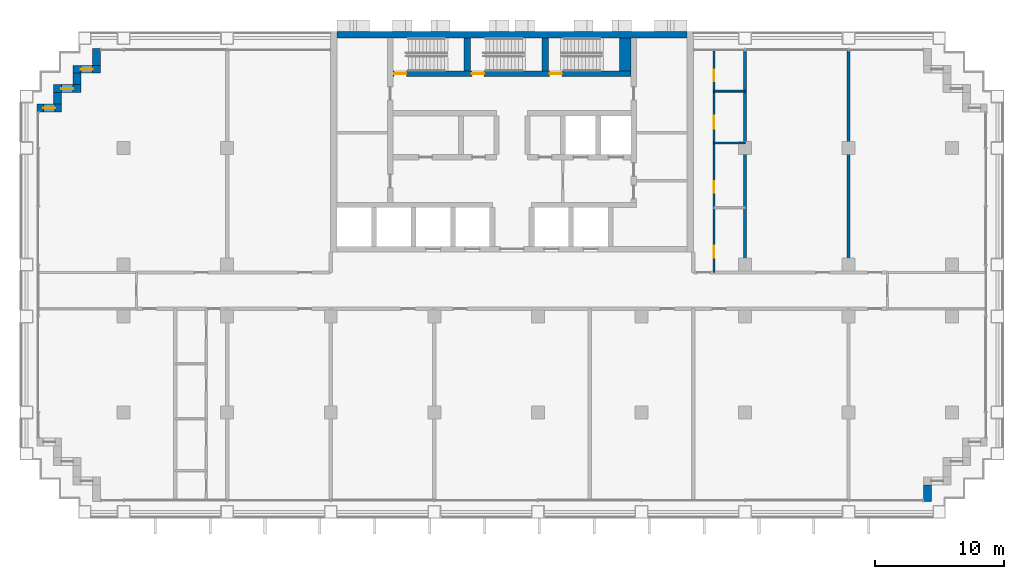
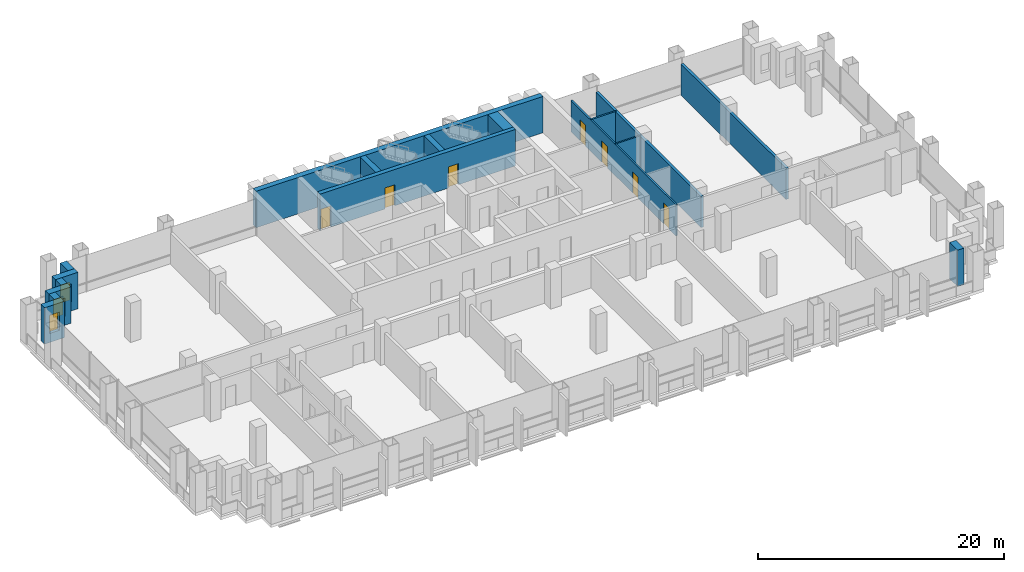
# One storey, part 9 of 13: 17 walls, 7 doors, 3 windows, 10 openings.
"""IFC4 building model written with IfcOpenShell, lengths in metres."""

from ifc_helpers import new_model, si_unit, direction, frame, frame_2d, origin, place, context, subcontext, project, spatial, rectangle, extrude, material, layer, layer_set, type_object, element, fill, save


model = new_model("IFC4")

# Units and contexts
model_context = context("Model", 3, precision=1e-05, world=origin(), true_north=direction((0.0, 1.0)))
body_context = subcontext(model_context, "Body", "Model", "MODEL_VIEW")
ifc_project = project(units=[si_unit("LENGTHUNIT", "METRE"), si_unit("AREAUNIT", "SQUARE_METRE"), si_unit("VOLUMEUNIT", "CUBIC_METRE"), si_unit("PLANEANGLEUNIT", "RADIAN"), si_unit("MASSUNIT", "GRAM", prefix="KILO")], contexts=[model_context])

# Site, building, storey
site_placement = place(None, origin())
site = spatial("IfcSite", under=ifc_project, at=site_placement, CompositionType="ELEMENT")
building_placement = place(site_placement, origin())
building = spatial("IfcBuilding", under=site, at=building_placement, Name="Vidyagriha Tower", CompositionType="ELEMENT")
storey_placement = place(building_placement, frame((0.0, 0.0, 37.699951171875)))
storey = spatial("IfcBuildingStorey", under=building, at=storey_placement, Name="L09", CompositionType="ELEMENT", Elevation=37.699951171875)

# Wall
ifc_material_1 = material(Name="Precast concrete C40/50 with brick facing", Category="concrete")
ifc_layer_1 = layer(ifc_material_1, 0.60009765625)
ifc_layer_set_1 = layer_set([ifc_layer_1], Name="Precast concrete C40/50 with brick facing")
wall_type_1 = type_object("IfcWallType", Name="Brick-faced precast wall 600", PredefinedType="STANDARD", material=ifc_layer_set_1)
wall_1_placement = place(storey_placement, frame((-32.10009765625, 18.679931640625, 0.0), z_axis=(0.0, 0.0, 1.0), x_axis=(0.0, -1.0, 0.0)))
element("IfcWall", 1, at=wall_1_placement, inside=storey, type_object=wall_type_1, Name="Stepped corner wall L09 R10", PredefinedType="STANDARD", context=body_context, shape_type="SweptSolid", body=[
    extrude(rectangle(XDim=1.280029296875, YDim=0.60009765625, at=frame_2d((0.64013671875, 0.0))), origin(), (0.0, 0.0, 1.0), 3.6201171875),
])

# Wall, opening, window
wall_2_placement = place(storey_placement, frame((-31.800048828125, 17.10009765625, 0.0), z_axis=(0.0, 0.0, 1.0), x_axis=(-1.0, 0.0, 0.0)))
wall_2 = element("IfcWall", 2, at=wall_2_placement, inside=storey, type_object=wall_type_1, Name="Stepped corner wall L09 R11", PredefinedType="STANDARD", context=body_context, shape_type="SweptSolid", body=[
    extrude(rectangle(XDim=2.099853515625, YDim=0.60009765625, at=frame_2d((1.0498046875, 0.0))), origin(), (0.0, 0.0, 1.0), 3.6201171875),
])
opening_1_placement = place(wall_2_placement, frame((0.60009765625, 0.0, 0.89990234375)))
opening_1 = element("IfcOpeningElement", 3, at=opening_1_placement, cuts=wall_2, Name="Opening WN2", PredefinedType="OPENING", context=body_context, shape_type="SweptSolid", body=[
    extrude(rectangle(XDim=0.89990234375, YDim=1.800048828125, at=frame_2d((0.449951171875, 0.89990234375))), frame((0.0, 0.31005859375, 0.0), z_axis=(0.0, -1.0, 0.0), x_axis=(1.0, 0.0, 0.0)), (0.0, 0.0, 1.0), 0.6201171875),
])
ifc_material_2 = material(Name="Aluminium and glass window", Category="aluminium")
window_type = type_object("IfcWindowType", Name="Reveal window 900x1800", PartitioningType="NOTDEFINED", PredefinedType="WINDOW", material=ifc_material_2)
window_1_placement = place(opening_1_placement, origin())
window_1 = element("IfcWindow", 4, at=window_1_placement, inside=storey, type_object=window_type, Name="Reveal window L09 R11", OverallHeight=1.800048828125, OverallWidth=0.89990234375, PartitioningType="SINGLE_PANEL", PredefinedType="WINDOW", context=body_context, shape_type="SweptSolid", body=[
    extrude(rectangle(XDim=0.89990234375, YDim=1.800048828125, at=frame_2d((0.449951171875, 0.89990234375))), frame((0.0, 0.030029296875, 0.0), z_axis=(0.0, -1.0, 0.0), x_axis=(1.0, 0.0, 0.0)), (0.0, 0.0, 1.0), 0.06005859375),
])
fill(opening_1, window_1)

# Wall
wall_3_placement = place(storey_placement, frame((-33.60009765625, 16.800048828125, 0.0), z_axis=(0.0, 0.0, 1.0), x_axis=(0.0, -1.0, 0.0)))
element("IfcWall", 5, at=wall_3_placement, inside=storey, type_object=wall_type_1, Name="Stepped corner wall L09 R12", PredefinedType="STANDARD", context=body_context, shape_type="SweptSolid", body=[
    extrude(rectangle(XDim=0.900146484375, YDim=0.60009765625, at=frame_2d((0.4501953125, 0.0))), origin(), (0.0, 0.0, 1.0), 3.6201171875),
])

# Wall, opening, window
wall_4_placement = place(storey_placement, frame((-33.300048828125, 15.60009765625, 0.0), z_axis=(0.0, 0.0, 1.0), x_axis=(-1.0, 0.0, 0.0)))
wall_4 = element("IfcWall", 6, at=wall_4_placement, inside=storey, type_object=wall_type_1, Name="Stepped corner wall L09 R13", PredefinedType="STANDARD", context=body_context, shape_type="SweptSolid", body=[
    extrude(rectangle(XDim=2.099853515625, YDim=0.60009765625, at=frame_2d((1.0498046875, 0.0))), origin(), (0.0, 0.0, 1.0), 3.6201171875),
])
opening_2_placement = place(wall_4_placement, frame((0.60009765625, 0.0, 0.89990234375)))
opening_2 = element("IfcOpeningElement", 7, at=opening_2_placement, cuts=wall_4, Name="Opening WN2", PredefinedType="OPENING", context=body_context, shape_type="SweptSolid", body=[
    extrude(rectangle(XDim=0.89990234375, YDim=1.800048828125, at=frame_2d((0.449951171875, 0.89990234375))), frame((0.0, 0.31005859375, 0.0), z_axis=(0.0, -1.0, 0.0), x_axis=(1.0, 0.0, 0.0)), (0.0, 0.0, 1.0), 0.6201171875),
])
window_2_placement = place(opening_2_placement, origin())
window_2 = element("IfcWindow", 8, at=window_2_placement, inside=storey, type_object=window_type, Name="Reveal window L09 R13", OverallHeight=1.800048828125, OverallWidth=0.89990234375, PartitioningType="SINGLE_PANEL", PredefinedType="WINDOW", context=body_context, shape_type="SweptSolid", body=[
    extrude(rectangle(XDim=0.89990234375, YDim=1.800048828125, at=frame_2d((0.449951171875, 0.89990234375))), frame((0.0, 0.030029296875, 0.0), z_axis=(0.0, -1.0, 0.0), x_axis=(1.0, 0.0, 0.0)), (0.0, 0.0, 1.0), 0.06005859375),
])
fill(opening_2, window_2)

# Wall
wall_5_placement = place(storey_placement, frame((-35.10009765625, 15.300048828125, 0.0), z_axis=(0.0, 0.0, 1.0), x_axis=(0.0, -1.0, 0.0)))
element("IfcWall", 9, at=wall_5_placement, inside=storey, type_object=wall_type_1, Name="Stepped corner wall L09 R14", PredefinedType="STANDARD", context=body_context, shape_type="SweptSolid", body=[
    extrude(rectangle(XDim=0.900146484375, YDim=0.60009765625, at=frame_2d((0.4501953125, 0.0))), origin(), (0.0, 0.0, 1.0), 3.6201171875),
])

# Wall, opening, window
wall_6_placement = place(storey_placement, frame((-34.800048828125, 14.10009765625, 0.0), z_axis=(0.0, 0.0, 1.0), x_axis=(-1.0, 0.0, 0.0)))
wall_6 = element("IfcWall", 10, at=wall_6_placement, inside=storey, type_object=wall_type_1, Name="Stepped corner wall L09 R15", PredefinedType="STANDARD", context=body_context, shape_type="SweptSolid", body=[
    extrude(rectangle(XDim=1.8798828125, YDim=0.60009765625, at=frame_2d((0.93994140625, 0.0))), origin(), (0.0, 0.0, 1.0), 3.6201171875),
])
opening_3_placement = place(wall_6_placement, frame((0.489990234375, 0.0, 0.89990234375)))
opening_3 = element("IfcOpeningElement", 11, at=opening_3_placement, cuts=wall_6, Name="Opening WN2", PredefinedType="OPENING", context=body_context, shape_type="SweptSolid", body=[
    extrude(rectangle(XDim=0.89990234375, YDim=1.800048828125, at=frame_2d((0.449951171875, 0.89990234375))), frame((0.0, 0.31005859375, 0.0), z_axis=(0.0, -1.0, 0.0), x_axis=(1.0, 0.0, 0.0)), (0.0, 0.0, 1.0), 0.6201171875),
])
window_3_placement = place(opening_3_placement, origin())
window_3 = element("IfcWindow", 12, at=window_3_placement, inside=storey, type_object=window_type, Name="Reveal window L09 R15", OverallHeight=1.800048828125, OverallWidth=0.89990234375, PartitioningType="SINGLE_PANEL", PredefinedType="WINDOW", context=body_context, shape_type="SweptSolid", body=[
    extrude(rectangle(XDim=0.89990234375, YDim=1.800048828125, at=frame_2d((0.449951171875, 0.89990234375))), frame((0.0, 0.030029296875, 0.0), z_axis=(0.0, -1.0, 0.0), x_axis=(1.0, 0.0, 0.0)), (0.0, 0.0, 1.0), 0.06005859375),
])
fill(opening_3, window_3)

# Wall
wall_7_placement = place(storey_placement, frame((32.10009765625, -16.280029296875, 0.0), z_axis=(0.0, 0.0, 1.0), x_axis=(0.0, 1.0, 0.0)))
element("IfcWall", 13, at=wall_7_placement, inside=storey, type_object=wall_type_1, Name="Stepped corner wall L09 R24", PredefinedType="STANDARD", context=body_context, shape_type="SweptSolid", body=[
    extrude(rectangle(XDim=1.280029296875, YDim=0.60009765625, at=frame_2d((0.64013671875, 0.0))), origin(), (0.0, 0.0, 1.0), 3.6201171875),
])

# Wall, openings, doors
ifc_material_3 = material(Name="Concrete C60/75", Category="concrete")
ifc_layer_2 = layer(ifc_material_3, 0.39990234375)
ifc_layer_set_2 = layer_set([ifc_layer_2], Name="Concrete C60/75")
wall_type_2 = type_object("IfcWallType", Name="Core shear wall 400 mm", PredefinedType="SHEAR", material=ifc_layer_set_2)
wall_8_placement = place(storey_placement, frame((-9.199951171875, 16.75, 0.0)))
wall_8 = element("IfcWall", 14, at=wall_8_placement, inside=storey, type_object=wall_type_2, Name="Stair front wall", PredefinedType="SHEAR", context=body_context, shape_type="SweptSolid", body=[
    extrude(rectangle(XDim=18.39990234375, YDim=0.39990234375, at=frame_2d((9.199951171875, 0.0))), origin(), (0.0, 0.0, 1.0), 3.6201171875),
])
opening_4_placement = place(wall_8_placement, frame((0.10009765625, 0.0, 0.0)))
opening_4 = element("IfcOpeningElement", 15, at=opening_4_placement, cuts=wall_8, Name="Opening D09-06", PredefinedType="OPENING", context=body_context, shape_type="SweptSolid", body=[
    extrude(rectangle(XDim=0.949951171875, YDim=2.10009765625, at=frame_2d((0.47509765625, 1.050048828125))), frame((0.0, 0.2099609375, 0.0), z_axis=(0.0, -1.0, 0.0), x_axis=(1.0, 0.0, 0.0)), (0.0, 0.0, 1.0), 0.419921875),
])
opening_5_placement = place(wall_8_placement, frame((6.10009765625, 0.0, 0.0)))
opening_5 = element("IfcOpeningElement", 16, at=opening_5_placement, cuts=wall_8, Name="Opening D09-07", PredefinedType="OPENING", context=body_context, shape_type="SweptSolid", body=[
    extrude(rectangle(XDim=0.949951171875, YDim=2.10009765625, at=frame_2d((0.47509765625, 1.050048828125))), frame((0.0, 0.2099609375, 0.0), z_axis=(0.0, -1.0, 0.0), x_axis=(1.0, 0.0, 0.0)), (0.0, 0.0, 1.0), 0.419921875),
])
opening_6_placement = place(wall_8_placement, frame((12.10009765625, 0.0, 0.0)))
opening_6 = element("IfcOpeningElement", 17, at=opening_6_placement, cuts=wall_8, Name="Opening D09-08", PredefinedType="OPENING", context=body_context, shape_type="SweptSolid", body=[
    extrude(rectangle(XDim=0.949951171875, YDim=2.10009765625, at=frame_2d((0.47509765625, 1.050048828125))), frame((0.0, 0.2099609375, 0.0), z_axis=(0.0, -1.0, 0.0), x_axis=(1.0, 0.0, 0.0)), (0.0, 0.0, 1.0), 0.419921875),
])
ifc_material_4 = material(Name="Hollow metal door leaf")
door_type_1 = type_object("IfcDoorType", Name="Exit stair door 950 x 2100 mm EI 90", OperationType="NOTDEFINED", PredefinedType="DOOR", material=ifc_material_4)
door_1_placement = place(opening_4_placement, origin())
door_1 = element("IfcDoor", 18, at=door_1_placement, inside=storey, type_object=door_type_1, Name="Stair door ST1 L09", OperationType="SINGLE_SWING_LEFT", OverallHeight=2.10009765625, OverallWidth=0.949951171875, PredefinedType="DOOR", context=body_context, shape_type="SweptSolid", body=[
    extrude(rectangle(XDim=0.949951171875, YDim=2.10009765625, at=frame_2d((0.47509765625, 1.050048828125))), frame((0.0, 0.02490234375, 0.0), z_axis=(0.0, -1.0, 0.0), x_axis=(1.0, 0.0, 0.0)), (0.0, 0.0, 1.0), 0.050048828125),
])
fill(opening_4, door_1)
door_2_placement = place(opening_5_placement, origin())
door_2 = element("IfcDoor", 19, at=door_2_placement, inside=storey, type_object=door_type_1, Name="Stair door ST2 L09", OperationType="SINGLE_SWING_LEFT", OverallHeight=2.10009765625, OverallWidth=0.949951171875, PredefinedType="DOOR", context=body_context, shape_type="SweptSolid", body=[
    extrude(rectangle(XDim=0.949951171875, YDim=2.10009765625, at=frame_2d((0.47509765625, 1.050048828125))), frame((0.0, 0.02490234375, 0.0), z_axis=(0.0, -1.0, 0.0), x_axis=(1.0, 0.0, 0.0)), (0.0, 0.0, 1.0), 0.050048828125),
])
fill(opening_5, door_2)
door_3_placement = place(opening_6_placement, origin())
door_3 = element("IfcDoor", 20, at=door_3_placement, inside=storey, type_object=door_type_1, Name="Stair door ST3 L09", OperationType="SINGLE_SWING_LEFT", OverallHeight=2.10009765625, OverallWidth=0.949951171875, PredefinedType="DOOR", context=body_context, shape_type="SweptSolid", body=[
    extrude(rectangle(XDim=0.949951171875, YDim=2.10009765625, at=frame_2d((0.47509765625, 1.050048828125))), frame((0.0, 0.02490234375, 0.0), z_axis=(0.0, -1.0, 0.0), x_axis=(1.0, 0.0, 0.0)), (0.0, 0.0, 1.0), 0.050048828125),
])
fill(opening_6, door_3)

# Walls
ifc_material_5 = material(Name="Concrete C60/75", Category="concrete")
ifc_layer_3 = layer(ifc_material_5, 0.5)
ifc_layer_set_3 = layer_set([ifc_layer_3], Name="Concrete C60/75")
wall_type_3 = type_object("IfcWallType", Name="Core shear wall 500 mm", PredefinedType="SHEAR", material=ifc_layer_set_3)
wall_9_placement = place(storey_placement, frame((-13.5, 19.75, 0.0)))
element("IfcWall", 21, at=wall_9_placement, inside=storey, type_object=wall_type_3, Name="Core north wall", PredefinedType="SHEAR", context=body_context, shape_type="SweptSolid", body=[
    extrude(rectangle(XDim=27.0, YDim=0.5, at=frame_2d((13.5, 0.0))), origin(), (0.0, 0.0, 1.0), 3.6201171875),
])
for number, where, z_axis, x_axis, name in (
    (22, (-3.449951171875, 16.949951171875, 0.0), (0.0, 0.0, 1.0), (0.0, 1.0, 0.0), "Stair partition wall 1"),
    (23, (2.550048828125, 16.949951171875, 0.0), (0.0, 0.0, 1.0), (0.0, 1.0, 0.0), "Stair partition wall 2"),
):
    element("IfcWall", number, at=place(storey_placement, frame(where, z_axis=z_axis, x_axis=x_axis)), inside=storey, type_object=wall_type_3, Name=name, PredefinedType="SHEAR", context=body_context, shape_type="SweptSolid", body=[
        extrude(rectangle(XDim=2.550048828125, YDim=0.5, at=frame_2d((1.27490234375, 0.0))), origin(), (0.0, 0.0, 1.0), 3.6201171875),
    ])
ifc_material_6 = material(Name="Concrete C60/75", Category="concrete")
ifc_layer_4 = layer(ifc_material_6, 0.89990234375)
ifc_layer_set_4 = layer_set([ifc_layer_4], Name="Concrete C60/75")
wall_type_4 = type_object("IfcWallType", Name="Core shear wall 900 mm", PredefinedType="SHEAR", material=ifc_layer_set_4)
wall_10_placement = place(storey_placement, frame((8.75, 16.949951171875, 0.0), z_axis=(0.0, 0.0, 1.0), x_axis=(0.0, 1.0, 0.0)))
element("IfcWall", 24, at=wall_10_placement, inside=storey, type_object=wall_type_4, Name="Stair end wall", PredefinedType="SHEAR", context=body_context, shape_type="SweptSolid", body=[
    extrude(rectangle(XDim=2.550048828125, YDim=0.89990234375, at=frame_2d((1.27490234375, 0.0))), origin(), (0.0, 0.0, 1.0), 3.6201171875),
])
ifc_material_7 = material(Name="Fired clay brick masonry", Category="masonry")
ifc_layer_5 = layer(ifc_material_7, 0.25)
ifc_layer_set_5 = layer_set([ifc_layer_5], Name="Fired clay brick masonry")
wall_type_5 = type_object("IfcWallType", Name="Fired clay brick demising wall 250", PredefinedType="PARTITIONING", material=ifc_layer_set_5)
for number, where, z_axis, x_axis, name in (
    (25, (18.0, 18.52099609375, 0.0), (0.0, 0.0, 1.0), (0.0, -1.0, 0.0), "Wall all-L09-w045"),
    (26, (26.0, 18.52099609375, 0.0), (0.0, 0.0, 1.0), (0.0, -1.0, 0.0), "Wall all-L09-w046"),
):
    element("IfcWall", number, at=place(storey_placement, frame(where, z_axis=z_axis, x_axis=x_axis)), inside=storey, type_object=wall_type_5, Name=name, PredefinedType="PARTITIONING", context=body_context, shape_type="SweptSolid", body=[
        extrude(rectangle(XDim=17.12109375, YDim=0.25, at=frame_2d((8.560546875, 0.0))), origin(), (0.0, 0.0, 1.0), 3.10009765625),
    ])
ifc_material_8 = material(Name="Gypsum board partition")
ifc_layer_6 = layer(ifc_material_8, 0.14990234375)
ifc_layer_set_6 = layer_set([ifc_layer_6], Name="Gypsum board partition")
wall_type_6 = type_object("IfcWallType", Name="Gypsum board partition 150", PredefinedType="PARTITIONING", material=ifc_layer_set_6)
for number, where, name in (
    (27, (15.60009765625, 11.39990234375, 0.0), "Wall all-L09-w038"),
    (28, (15.60009765625, 15.39990234375, 0.0), "Wall all-L09-w040"),
):
    element("IfcWall", number, at=place(storey_placement, frame(where)), inside=storey, type_object=wall_type_6, Name=name, PredefinedType="PARTITIONING", context=body_context, shape_type="SweptSolid", body=[
        extrude(rectangle(XDim=2.39990234375, YDim=0.14990234375, at=frame_2d((1.199951171875, 0.0))), origin(), (0.0, 0.0, 1.0), 3.10009765625),
    ])

# Wall, openings, doors
ifc_material_9 = material(Name="Moisture resistant gypsum board partition")
ifc_layer_7 = layer(ifc_material_9, 0.14990234375)
ifc_layer_set_7 = layer_set([ifc_layer_7], Name="Moisture resistant gypsum board partition")
wall_type_7 = type_object("IfcWallType", Name="Gypsum board wet-area partition 150", PredefinedType="PARTITIONING", material=ifc_layer_set_7)
wall_11_placement = place(storey_placement, frame((15.60009765625, 18.52099609375, 0.0), z_axis=(0.0, 0.0, 1.0), x_axis=(0.0, -1.0, 0.0)))
wall_11 = element("IfcWall", 29, at=wall_11_placement, inside=storey, type_object=wall_type_7, Name="Wall all-L09-w034", PredefinedType="PARTITIONING", context=body_context, shape_type="SweptSolid", body=[
    extrude(rectangle(XDim=17.12109375, YDim=0.14990234375, at=frame_2d((8.560546875, 0.0))), origin(), (0.0, 0.0, 1.0), 3.10009765625),
])
opening_7_placement = place(wall_11_placement, frame((15.071044921875, 0.0, 0.0)))
opening_7 = element("IfcOpeningElement", 30, at=opening_7_placement, cuts=wall_11, Name="Opening D09-27", PredefinedType="OPENING", context=body_context, shape_type="SweptSolid", body=[
    extrude(rectangle(XDim=0.89990234375, YDim=2.10009765625, at=frame_2d((0.449951171875, 1.050048828125))), frame((0.0, 0.0849609375, 0.0), z_axis=(0.0, -1.0, 0.0), x_axis=(1.0, 0.0, 0.0)), (0.0, 0.0, 1.0), 0.169921875),
])
opening_8_placement = place(wall_11_placement, frame((10.071044921875, 0.0, 0.0)))
opening_8 = element("IfcOpeningElement", 31, at=opening_8_placement, cuts=wall_11, Name="Opening D09-28", PredefinedType="OPENING", context=body_context, shape_type="SweptSolid", body=[
    extrude(rectangle(XDim=0.89990234375, YDim=2.10009765625, at=frame_2d((0.449951171875, 1.050048828125))), frame((0.0, 0.0849609375, 0.0), z_axis=(0.0, -1.0, 0.0), x_axis=(1.0, 0.0, 0.0)), (0.0, 0.0, 1.0), 0.169921875),
])
opening_9_placement = place(wall_11_placement, frame((5.02099609375, 0.0, 0.0)))
opening_9 = element("IfcOpeningElement", 32, at=opening_9_placement, cuts=wall_11, Name="Opening D09-29", PredefinedType="OPENING", context=body_context, shape_type="SweptSolid", body=[
    extrude(rectangle(XDim=1.0, YDim=2.10009765625, at=frame_2d((0.5, 1.050048828125))), frame((0.0, 0.0849609375, 0.0), z_axis=(0.0, -1.0, 0.0), x_axis=(1.0, 0.0, 0.0)), (0.0, 0.0, 1.0), 0.169921875),
])
opening_10_placement = place(wall_11_placement, frame((1.470947265625, 0.0, 0.0)))
opening_10 = element("IfcOpeningElement", 33, at=opening_10_placement, cuts=wall_11, Name="Opening D09-30", PredefinedType="OPENING", context=body_context, shape_type="SweptSolid", body=[
    extrude(rectangle(XDim=0.89990234375, YDim=2.10009765625, at=frame_2d((0.449951171875, 1.050048828125))), frame((0.0, 0.0849609375, 0.0), z_axis=(0.0, -1.0, 0.0), x_axis=(1.0, 0.0, 0.0)), (0.0, 0.0, 1.0), 0.169921875),
])
ifc_material_10 = material(Name="Timber door leaf", Category="wood")
door_type_2 = type_object("IfcDoorType", Name="Bathroom door 1000x2100", OperationType="NOTDEFINED", PredefinedType="DOOR", material=ifc_material_10)
door_4_placement = place(opening_9_placement, origin())
door_4 = element("IfcDoor", 34, at=door_4_placement, inside=storey, type_object=door_type_2, Name="Door D09-29", OperationType="SINGLE_SWING_RIGHT", OverallHeight=2.10009765625, OverallWidth=1.0, PredefinedType="DOOR", context=body_context, shape_type="SweptSolid", body=[
    extrude(rectangle(XDim=1.0, YDim=2.10009765625, at=frame_2d((0.5, 1.050048828125))), frame((0.0, 0.02490234375, 0.0), z_axis=(0.0, -1.0, 0.0), x_axis=(1.0, 0.0, 0.0)), (0.0, 0.0, 1.0), 0.050048828125),
])
fill(opening_9, door_4)
ifc_material_11 = material(Name="Timber door leaf", Category="wood")
door_type_3 = type_object("IfcDoorType", Name="Bathroom door 900x2100", OperationType="NOTDEFINED", PredefinedType="DOOR", material=ifc_material_11)
door_5_placement = place(opening_7_placement, origin())
door_5 = element("IfcDoor", 35, at=door_5_placement, inside=storey, type_object=door_type_3, Name="Door D09-27", OperationType="SINGLE_SWING_RIGHT", OverallHeight=2.10009765625, OverallWidth=0.89990234375, PredefinedType="DOOR", context=body_context, shape_type="SweptSolid", body=[
    extrude(rectangle(XDim=0.89990234375, YDim=2.10009765625, at=frame_2d((0.449951171875, 1.050048828125))), frame((0.0, 0.02490234375, 0.0), z_axis=(0.0, -1.0, 0.0), x_axis=(1.0, 0.0, 0.0)), (0.0, 0.0, 1.0), 0.050048828125),
])
fill(opening_7, door_5)
door_6_placement = place(opening_8_placement, origin())
door_6 = element("IfcDoor", 36, at=door_6_placement, inside=storey, type_object=door_type_3, Name="Door D09-28", OperationType="SINGLE_SWING_RIGHT", OverallHeight=2.10009765625, OverallWidth=0.89990234375, PredefinedType="DOOR", context=body_context, shape_type="SweptSolid", body=[
    extrude(rectangle(XDim=0.89990234375, YDim=2.10009765625, at=frame_2d((0.449951171875, 1.050048828125))), frame((0.0, 0.02490234375, 0.0), z_axis=(0.0, -1.0, 0.0), x_axis=(1.0, 0.0, 0.0)), (0.0, 0.0, 1.0), 0.050048828125),
])
fill(opening_8, door_6)
door_7_placement = place(opening_10_placement, origin())
door_7 = element("IfcDoor", 37, at=door_7_placement, inside=storey, type_object=door_type_3, Name="Door D09-30", OperationType="SINGLE_SWING_RIGHT", OverallHeight=2.10009765625, OverallWidth=0.89990234375, PredefinedType="DOOR", context=body_context, shape_type="SweptSolid", body=[
    extrude(rectangle(XDim=0.89990234375, YDim=2.10009765625, at=frame_2d((0.449951171875, 1.050048828125))), frame((0.0, 0.02490234375, 0.0), z_axis=(0.0, -1.0, 0.0), x_axis=(1.0, 0.0, 0.0)), (0.0, 0.0, 1.0), 0.050048828125),
])
fill(opening_10, door_7)

save(model, "model.ifc")
